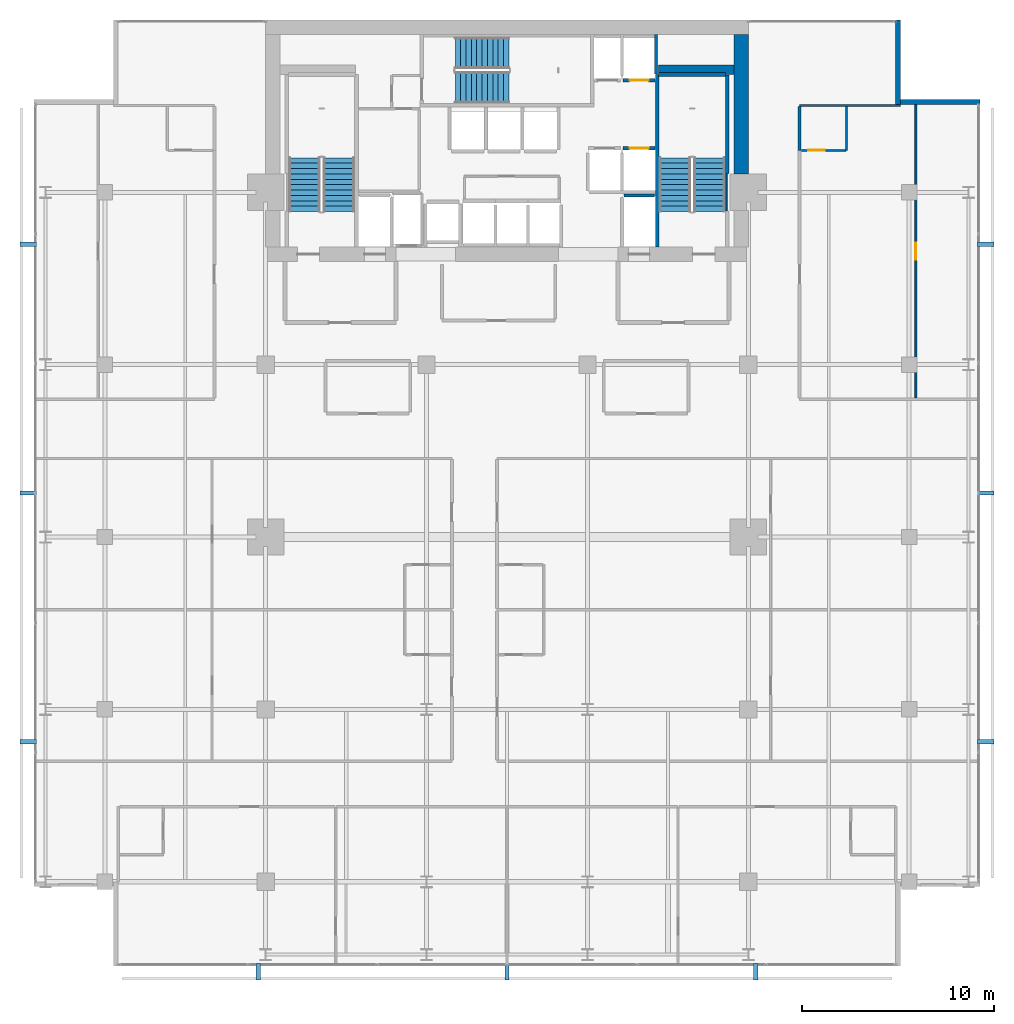
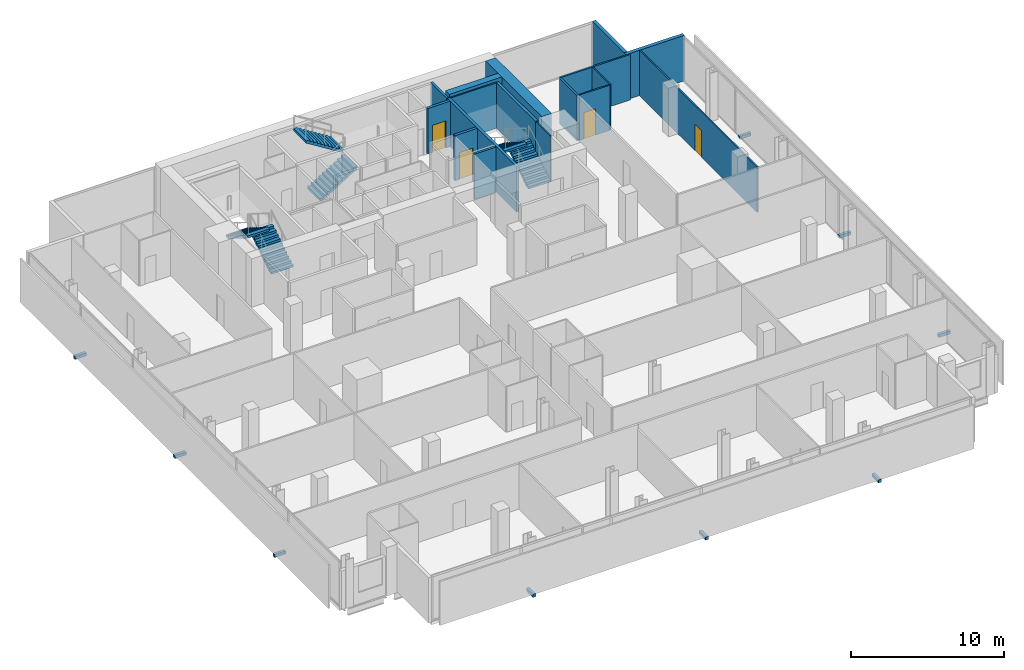
# One storey, part 30 of 32: 17 walls, 9 discrete accessories, 6 stair flights, 4 doors, 4 openings, 3 elements without a shape of their own.
"""IFC4 building model written with IfcOpenShell, lengths in metres."""

from ifc_helpers import new_model, si_unit, direction, frame, frame_2d, origin, origin_2d, place, context, subcontext, project, spatial, polyline, rectangle, outline, extrude, material, layer, layer_set, type_object, element, fill, aggregate, save


model = new_model("IFC4")

# Units and contexts
model_context = context("Model", 3, precision=1e-05, world=origin(), true_north=direction((0.0, 1.0)))
body_context = subcontext(model_context, "Body", "Model", "MODEL_VIEW")
ifc_project = project(units=[si_unit("LENGTHUNIT", "METRE"), si_unit("AREAUNIT", "SQUARE_METRE"), si_unit("VOLUMEUNIT", "CUBIC_METRE"), si_unit("PLANEANGLEUNIT", "RADIAN"), si_unit("MASSUNIT", "GRAM", prefix="KILO")], contexts=[model_context])

# Site, building, storey
site_placement = place(None, origin())
site = spatial("IfcSite", under=ifc_project, at=site_placement, CompositionType="ELEMENT")
building_placement = place(site_placement, origin())
building = spatial("IfcBuilding", under=site, at=building_placement, Name="Maruvema Waterfront Hotel and Observation Tower", CompositionType="ELEMENT")
storey_placement = place(building_placement, frame((0.0, 0.0, 219.800048828125)))
storey = spatial("IfcBuildingStorey", under=building, at=storey_placement, Name="L54", CompositionType="ELEMENT", Elevation=219.800048828125)

# Walls
ifc_material_1 = material(Name="Twin-stud acoustic gypsum drywall", Category="gypsum")
ifc_layer_1 = layer(ifc_material_1, 0.14990234375, Name="Acoustic Corridor and Suite Demising Wall 150 mm")
ifc_layer_set_1 = layer_set([ifc_layer_1], Name="Twin-stud acoustic gypsum drywall")
wall_type_1 = type_object("IfcWallType", Name="Acoustic Corridor and Suite Demising Wall 150 mm", PredefinedType="PARTITIONING", material=ifc_layer_set_1)
wall_1_placement = place(storey_placement, frame((53.080078125, 47.1875, 0.0), z_axis=(0.0, 0.0, 1.0), x_axis=(0.0, 1.0, 0.0)))
element("IfcWall", 1, at=wall_1_placement, inside=storey, type_object=wall_type_1, Name="L54 Bath L54-NE1 Wall 080", PredefinedType="PARTITIONING", context=body_context, shape_type="SweptSolid", body=[
    extrude(rectangle(XDim=2.2900390625, YDim=0.14990234375, at=frame_2d((1.14501953125, 0.0))), origin(), (0.0, 0.0, 1.0), 3.60986328125),
])
ifc_material_2 = material(Name="Precast concrete C45/55", Category="concrete")
ifc_layer_2 = layer(ifc_material_2, 0.199951171875, Name="Core Shaft and Stairwell Enclosure Wall 200 mm")
ifc_layer_set_2 = layer_set([ifc_layer_2], Name="Precast concrete C45/55")
wall_type_2 = type_object("IfcWallType", Name="Core Shaft and Stairwell Enclosure Wall 200 mm", PredefinedType="SOLIDWALL", material=ifc_layer_set_2)
wall_2_placement = place(storey_placement, frame((45.64990234375, 42.14990234375, 0.0), z_axis=(0.0, 0.0, 1.0), x_axis=(0.0, 1.0, 0.0)))
element("IfcWall", 2, at=wall_2_placement, inside=storey, type_object=wall_type_2, Name="L54 Stairwell ST-03 West Shaft Wall", PredefinedType="SOLIDWALL", context=body_context, shape_type="SweptSolid", body=[
    extrude(rectangle(XDim=9.0, YDim=0.199951171875, at=frame_2d((4.5, 0.0))), origin(), (0.0, 0.0, 1.0), 3.60986328125),
])
wall_3_placement = place(storey_placement, frame((49.300048828125, 45.97998046875, 0.0), z_axis=(0.0, 0.0, 1.0), x_axis=(0.0, 1.0, 0.0)))
element("IfcWall", 3, at=wall_3_placement, inside=storey, type_object=wall_type_2, Name="L54 Stairwell ST-03 Shaft Lining Wall", PredefinedType="SOLIDWALL", context=body_context, shape_type="SweptSolid", body=[
    extrude(rectangle(XDim=5.14013671875, YDim=0.199951171875, at=frame_2d((2.570068359375, 0.0))), origin(), (0.0, 0.0, 1.0), 3.60986328125),
])
wall_4_placement = place(storey_placement, frame((45.719970703125, 51.14990234375, 0.0), z_axis=(0.0, 0.0, 1.0), x_axis=(1.0, 0.0, 0.0)))
element("IfcWall", 4, at=wall_4_placement, inside=storey, type_object=wall_type_2, Name="L54 Stairwell ST-03 Shaft Lining Wall", PredefinedType="SOLIDWALL", context=body_context, shape_type="SweptSolid", body=[
    extrude(rectangle(XDim=3.5, YDim=0.199951171875, at=frame_2d((1.75, 0.0))), origin(), (0.0, 0.0, 1.0), 3.60986328125),
])

# Wall, opening, door
wall_5_placement = place(storey_placement, frame((43.860107421875, 47.300048828125, 0.0), z_axis=(0.0, 0.0, 1.0), x_axis=(1.0, 0.0, 0.0)))
wall_5 = element("IfcWall", 5, at=wall_5_placement, inside=storey, type_object=wall_type_2, Name="L54 Lift LF-06 Hoistway Front Wall", PredefinedType="SOLIDWALL", context=body_context, shape_type="SweptSolid", body=[
    extrude(rectangle(XDim=1.679931640625, YDim=0.199951171875, at=frame_2d((0.83984375, 0.0))), origin(), (0.0, 0.0, 1.0), 3.60986328125),
])
opening_1_placement = place(wall_5_placement, frame((0.340087890625, 0.0, 0.0)))
opening_1 = element("IfcOpeningElement", 6, at=opening_1_placement, cuts=wall_5, Name="Opening LD-01", PredefinedType="OPENING", context=body_context, shape_type="SweptSolid", body=[
    extrude(rectangle(XDim=1.0, YDim=2.14990234375, at=frame_2d((0.5, 1.074951171875))), frame((0.0, 0.10986328125, 0.0), z_axis=(0.0, -1.0, 0.0), x_axis=(1.0, 0.0, 0.0)), (0.0, 0.0, 1.0), 0.219970703125),
])
ifc_material_3 = material(Name="Brushed stainless steel Grade 316", Category="steel")
door_type_1 = type_object("IfcDoorType", Name="Passenger Lift Sliding Landing Door 1000x2150 mm", OperationType="SLIDING_TO_LEFT", PredefinedType="DOOR", material=ifc_material_3)
door_1_placement = place(opening_1_placement, origin())
door_1 = element("IfcDoor", 7, at=door_1_placement, inside=storey, type_object=door_type_1, Name="L54 Lift LF-06 Sliding Landing Door", OperationType="SLIDING_TO_LEFT", OverallHeight=2.14990234375, OverallWidth=1.0, PredefinedType="DOOR", context=body_context, shape_type="SweptSolid", body=[
    extrude(rectangle(XDim=1.0, YDim=2.14990234375, at=frame_2d((0.5, 1.074951171875))), frame((0.0, 0.02490234375, 0.0), z_axis=(0.0, -1.0, 0.0), x_axis=(1.0, 0.0, 0.0)), (0.0, 0.0, 1.0), 0.050048828125),
])
fill(opening_1, door_1)

wall_6_placement = place(storey_placement, frame((43.860107421875, 50.85009765625, 0.0), z_axis=(0.0, 0.0, 1.0), x_axis=(1.0, 0.0, 0.0)))
wall_6 = element("IfcWall", 8, at=wall_6_placement, inside=storey, type_object=wall_type_2, Name="L54 Lift LF-08 Hoistway Front Wall", PredefinedType="SOLIDWALL", context=body_context, shape_type="SweptSolid", body=[
    extrude(rectangle(XDim=1.679931640625, YDim=0.199951171875, at=frame_2d((0.83984375, 0.0))), origin(), (0.0, 0.0, 1.0), 3.60986328125),
])
opening_2_placement = place(wall_6_placement, frame((0.340087890625, 0.0, 0.0)))
opening_2 = element("IfcOpeningElement", 9, at=opening_2_placement, cuts=wall_6, Name="Opening LD-01", PredefinedType="OPENING", context=body_context, shape_type="SweptSolid", body=[
    extrude(rectangle(XDim=1.0, YDim=2.14990234375, at=frame_2d((0.5, 1.074951171875))), frame((0.0, 0.10986328125, 0.0), z_axis=(0.0, -1.0, 0.0), x_axis=(1.0, 0.0, 0.0)), (0.0, 0.0, 1.0), 0.219970703125),
])
door_2_placement = place(opening_2_placement, frame((1.0, 0.0, 0.0), z_axis=(0.0, 0.0, 1.0), x_axis=(-1.0, 0.0, 0.0)))
door_2 = element("IfcDoor", 10, at=door_2_placement, inside=storey, type_object=door_type_1, Name="L54 Lift LF-08 Sliding Landing Door", OperationType="SLIDING_TO_LEFT", OverallHeight=2.14990234375, OverallWidth=1.0, PredefinedType="DOOR", context=body_context, shape_type="SweptSolid", body=[
    extrude(rectangle(XDim=1.0, YDim=2.14990234375, at=frame_2d((0.5, 1.074951171875))), frame((0.0, 0.02490234375, 0.0), z_axis=(0.0, -1.0, 0.0), x_axis=(1.0, 0.0, 0.0)), (0.0, 0.0, 1.0), 0.050048828125),
])
fill(opening_2, door_2)

# Walls
ifc_material_4 = material(Name="Concrete C70/85", Category="concrete")
ifc_layer_3 = layer(ifc_material_4, 0.5, Name="Core Shear Wall 500 mm")
ifc_layer_set_3 = layer_set([ifc_layer_3], Name="Concrete C70/85")
wall_type_3 = type_object("IfcWallType", Name="Core Shear Wall 500 mm", PredefinedType="SHEAR", material=ifc_layer_set_3)
wall_7_placement = place(storey_placement, frame((45.699951171875, 51.39990234375, 0.0), z_axis=(0.0, 0.0, 1.0), x_axis=(1.0, 0.0, 0.0)))
element("IfcWall", 11, at=wall_7_placement, inside=storey, type_object=wall_type_3, Name="L54 Internal Core Shear Wall NE 500 mm", PredefinedType="SHEAR", context=body_context, shape_type="SweptSolid", body=[
    extrude(rectangle(XDim=3.949951171875, YDim=0.5, at=frame_2d((1.97509765625, 0.0))), origin(), (0.0, 0.0, 1.0), 3.849853515625),
])
ifc_material_5 = material(Name="Concrete C70/85", Category="concrete")
ifc_layer_4 = layer(ifc_material_5, 0.75, Name="Core Shear Wall 750 mm")
ifc_layer_set_4 = layer_set([ifc_layer_4], Name="Concrete C70/85")
wall_type_4 = type_object("IfcWallType", Name="Core Shear Wall 750 mm", PredefinedType="SHEAR", material=ifc_layer_set_4)
wall_8_placement = place(storey_placement, frame((50.02490234375, 45.949951171875, 0.0), z_axis=(0.0, 0.0, 1.0), x_axis=(0.0, 1.0, 0.0)))
element("IfcWall", 12, at=wall_8_placement, inside=storey, type_object=wall_type_4, Name="L54 East-North Core Shear Wall", PredefinedType="SHEAR", context=body_context, shape_type="SweptSolid", body=[
    extrude(rectangle(XDim=7.300048828125, YDim=0.75, at=frame_2d((3.64990234375, 0.0))), origin(), (0.0, 0.0, 1.0), 3.849853515625),
])
ifc_material_6 = material(Name="Moisture-resistant cement-board drywall", Category="gypsum")
ifc_layer_5 = layer(ifc_material_6, 0.10009765625, Name="En-Suite Moisture-Resistant Partition 100 mm")
ifc_layer_set_5 = layer_set([ifc_layer_5], Name="Moisture-resistant cement-board drywall")
wall_type_5 = type_object("IfcWallType", Name="En-Suite Moisture-Resistant Partition 100 mm", PredefinedType="PARTITIONING", material=ifc_layer_set_5)
wall_9_placement = place(storey_placement, frame((55.530029296875, 47.1875, 0.0), z_axis=(0.0, 0.0, 1.0), x_axis=(0.0, 1.0, 0.0)))
element("IfcWall", 13, at=wall_9_placement, inside=storey, type_object=wall_type_5, Name="L54 En-Suite L54-NE1 E 081", PredefinedType="PARTITIONING", context=body_context, shape_type="SweptSolid", body=[
    extrude(rectangle(XDim=2.2900390625, YDim=0.10009765625, at=frame_2d((1.14501953125, 0.0))), origin(), (0.0, 0.0, 1.0), 3.60986328125),
])

# Wall, opening, door
wall_10_placement = place(storey_placement, frame((53.179931640625, 47.1875, 0.0), z_axis=(0.0, 0.0, 1.0), x_axis=(1.0, 0.0, 0.0)))
wall_10 = element("IfcWall", 14, at=wall_10_placement, inside=storey, type_object=wall_type_5, Name="L54 En-Suite L54-NE1 S 082", PredefinedType="PARTITIONING", context=body_context, shape_type="SweptSolid", body=[
    extrude(rectangle(XDim=2.300048828125, YDim=0.10009765625, at=frame_2d((1.14990234375, 0.0))), origin(), (0.0, 0.0, 1.0), 3.60986328125),
])
opening_3_placement = place(wall_10_placement, frame((0.35009765625, 0.0, 0.0)))
opening_3 = element("IfcOpeningElement", 15, at=opening_3_placement, cuts=wall_10, Name="Opening DR-085", PredefinedType="OPENING", context=body_context, shape_type="SweptSolid", body=[
    extrude(rectangle(XDim=0.85009765625, YDim=2.10009765625, at=frame_2d((0.425048828125, 1.050048828125))), frame((0.0, 0.06005859375, 0.0), z_axis=(0.0, -1.0, 0.0), x_axis=(1.0, 0.0, 0.0)), (0.0, 0.0, 1.0), 0.1201171875),
])
ifc_material_7 = material(Name="Moisture-resistant solid timber leaf", Category="wood")
door_type_2 = type_object("IfcDoorType", Name="En-Suite Bathroom Door 850x2100 mm", OperationType="NOTDEFINED", PredefinedType="DOOR", material=ifc_material_7)
door_3_placement = place(opening_3_placement, frame((0.85009765625, 0.0, 0.0), z_axis=(0.0, 0.0, 1.0), x_axis=(-1.0, 0.0, 0.0)))
door_3 = element("IfcDoor", 16, at=door_3_placement, inside=storey, type_object=door_type_2, Name="L54 En-Suite L54-NE1 Door", OperationType="SINGLE_SWING_LEFT", OverallHeight=2.10009765625, OverallWidth=0.85009765625, PredefinedType="DOOR", context=body_context, shape_type="SweptSolid", body=[
    extrude(rectangle(XDim=0.85009765625, YDim=2.10009765625, at=frame_2d((0.425048828125, 1.050048828125))), frame((0.0, 0.02490234375, 0.0), z_axis=(0.0, -1.0, 0.0), x_axis=(1.0, 0.0, 0.0)), (0.0, 0.0, 1.0), 0.050048828125),
])
fill(opening_3, door_3)

wall_11_placement = place(storey_placement, frame((59.154296875, 34.260009765625, 0.0), z_axis=(0.0, 0.0, 1.0), x_axis=(0.0, 1.0, 0.0)))
wall_11 = element("IfcWall", 17, at=wall_11_placement, inside=storey, type_object=wall_type_5, Name="L54 Suite L54-NE1 Split 083", PredefinedType="PARTITIONING", context=body_context, shape_type="SweptSolid", body=[
    extrude(rectangle(XDim=15.33740234375, YDim=0.10009765625, at=frame_2d((7.668701171875, 0.0))), origin(), (0.0, 0.0, 1.0), 3.60986328125),
])
opening_4_placement = place(wall_11_placement, frame((7.21875, 0.0, 0.0)))
opening_4 = element("IfcOpeningElement", 18, at=opening_4_placement, cuts=wall_11, Name="Opening DR-090", PredefinedType="OPENING", context=body_context, shape_type="SweptSolid", body=[
    extrude(rectangle(XDim=0.89990234375, YDim=2.10009765625, at=frame_2d((0.449951171875, 1.050048828125))), frame((0.0, 0.06005859375, 0.0), z_axis=(0.0, -1.0, 0.0), x_axis=(1.0, 0.0, 0.0)), (0.0, 0.0, 1.0), 0.1201171875),
])
ifc_material_8 = material(Name="Solid-core lacquered timber leaf", Category="wood")
door_type_3 = type_object("IfcDoorType", Name="Accessible Toilet and Room Door 900x2100 mm", OperationType="NOTDEFINED", PredefinedType="DOOR", material=ifc_material_8)
door_4_placement = place(opening_4_placement, frame((0.89990234375, 0.0, 0.0), z_axis=(0.0, 0.0, 1.0), x_axis=(-1.0, 0.0, 0.0)))
door_4 = element("IfcDoor", 19, at=door_4_placement, inside=storey, type_object=door_type_3, Name="L54 Suite L54-NE1 Bedroom Door", OperationType="SINGLE_SWING_LEFT", OverallHeight=2.10009765625, OverallWidth=0.89990234375, PredefinedType="DOOR", context=body_context, shape_type="SweptSolid", body=[
    extrude(rectangle(XDim=0.89990234375, YDim=2.10009765625, at=frame_2d((0.449951171875, 1.050048828125))), frame((0.0, 0.02490234375, 0.0), z_axis=(0.0, -1.0, 0.0), x_axis=(1.0, 0.0, 0.0)), (0.0, 0.0, 1.0), 0.050048828125),
])
fill(opening_4, door_4)

# Walls
ifc_material_9 = material(Name="Precast concrete C45/55 with honed Pernambuco granite facing", Category="masonry")
ifc_layer_6 = layer(ifc_material_9, 0.260009765625, Name="Exterior Granite Clad Spandrel and Pier Wall 260 mm")
ifc_layer_set_6 = layer_set([ifc_layer_6], Name="Precast concrete C45/55 with honed Pernambuco granite facing")
wall_type_6 = type_object("IfcWallType", Name="Exterior Granite Clad Spandrel and Pier Wall 260 mm", PredefinedType="SOLIDWALL", material=ifc_layer_set_6)
for number, where, z_axis, x_axis, name in (
    (20, (58.22998046875, 54.0, 0.0), (0.0, 0.0, 1.0), (0.0, -1.0, 0.0), "L54 Corner Notch Granite Pier Wall NE1"),
    (21, (58.10009765625, 49.72998046875, 0.0), (0.0, 0.0, 1.0), (1.0, 0.0, 0.0), "L54 Corner Notch Granite Pier Wall NE2"),
):
    element("IfcWall", number, at=place(storey_placement, frame(where, z_axis=z_axis, x_axis=x_axis)), inside=storey, type_object=wall_type_6, Name=name, PredefinedType="SOLIDWALL", context=body_context, shape_type="SweptSolid", body=[
        extrude(rectangle(XDim=4.39990234375, YDim=0.260009765625, at=frame_2d((2.199951171875, 0.0))), origin(), (0.0, 0.0, 1.0), 3.60986328125),
    ])
ifc_material_10 = material(Name="Acoustic gypsum plasterboard drywall", Category="gypsum")
ifc_layer_7 = layer(ifc_material_10, 0.125, Name="Guestroom Acoustic Demising Wall 125 mm")
ifc_layer_set_7 = layer_set([ifc_layer_7], Name="Acoustic gypsum plasterboard drywall")
wall_type_7 = type_object("IfcWallType", Name="Guestroom Acoustic Demising Wall 125 mm", PredefinedType="PARTITIONING", material=ifc_layer_set_7)
wall_12_placement = place(storey_placement, frame((53.080078125, 49.53759765625, 0.0), z_axis=(0.0, 0.0, 1.0), x_axis=(1.0, 0.0, 0.0)))
element("IfcWall", 22, at=wall_12_placement, inside=storey, type_object=wall_type_7, Name="L54 Z2 NE Top End 073", PredefinedType="PARTITIONING", context=body_context, shape_type="SweptSolid", body=[
    extrude(rectangle(XDim=5.280029296875, YDim=0.125, at=frame_2d((2.64013671875, 0.0))), origin(), (0.0, 0.0, 1.0), 3.60986328125),
])
ifc_material_11 = material(Name="Precast concrete C45/55", Category="concrete")
ifc_layer_8 = layer(ifc_material_11, 0.159912109375, Name="Lift Hoistway Divider Wall 160 mm")
ifc_layer_set_8 = layer_set([ifc_layer_8], Name="Precast concrete C45/55")
wall_type_8 = type_object("IfcWallType", Name="Lift Hoistway Divider Wall 160 mm", PredefinedType="SOLIDWALL", material=ifc_layer_set_8)
wall_13_placement = place(storey_placement, frame((43.89990234375, 44.830078125, 0.0), z_axis=(0.0, 0.0, 1.0), x_axis=(1.0, 0.0, 0.0)))
element("IfcWall", 23, at=wall_13_placement, inside=storey, type_object=wall_type_8, Name="L54 Lift FL-02 Rear Hoistway Wall", PredefinedType="SOLIDWALL", context=body_context, shape_type="SweptSolid", body=[
    extrude(rectangle(XDim=1.60009765625, YDim=0.159912109375, at=frame_2d((0.800048828125, 0.0))), origin(), (0.0, 0.0, 1.0), 3.60986328125),
])
wall_14_placement = place(storey_placement, frame((45.590087890625, 51.179931640625, 0.0), z_axis=(0.0, 0.0, 1.0), x_axis=(0.0, 1.0, 0.0)))
element("IfcWall", 24, at=wall_14_placement, inside=storey, type_object=wall_type_8, Name="L54 Hoistway Divider Wall", PredefinedType="SOLIDWALL", context=body_context, shape_type="SweptSolid", body=[
    extrude(rectangle(XDim=2.070068359375, YDim=0.159912109375, at=frame_2d((1.03515625, 0.0))), origin(), (0.0, 0.0, 1.0), 3.60986328125),
])
ifc_material_12 = material(Name="Precast concrete C45/55", Category="concrete")
ifc_layer_9 = layer(ifc_material_12, 0.10009765625, Name="Stairwell Stringer Cheek Wall 100 mm")
ifc_layer_set_9 = layer_set([ifc_layer_9], Name="Precast concrete C45/55")
wall_type_9 = type_object("IfcWallType", Name="Stairwell Stringer Cheek Wall 100 mm", PredefinedType="SOLIDWALL", material=ifc_layer_set_9)
wall_15_placement = place(storey_placement, frame((49.248046875, 44.0400390625, 0.0), z_axis=(0.0, 0.0, 1.0), x_axis=(0.0, 1.0, 0.0)))
element("IfcWall", 25, at=wall_15_placement, inside=storey, type_object=wall_type_9, Name="L54 Stairwell ST-03 Mega-Column Cheek Wall", PredefinedType="SOLIDWALL", context=body_context, shape_type="SweptSolid", body=[
    extrude(rectangle(XDim=1.919921875, YDim=0.10009765625, at=frame_2d((0.9599609375, 0.0))), origin(), (0.0, 0.0, 1.0), 3.60986328125),
])

# Stair, stair flights
ifc_material_13 = material(Name="Concrete C50/60", Category="concrete")
stair_type = type_object("IfcStairType", Name="Dogleg Exit Stair 1650 mm (22R x 175.0 mm)", PredefinedType="HALF_TURN_STAIR", material=ifc_material_13)
stair_1_placement = place(storey_placement, origin())
stair_1 = element("IfcStair", 26, at=stair_1_placement, inside=storey, type_object=stair_type, Name="L54 ST-01", PredefinedType="HALF_TURN_STAIR")
ifc_material_14 = material(Name="Concrete C50/60", Category="concrete")
stair_flight_type = type_object("IfcStairFlightType", Name="Reinforced Concrete Stair Flight 1650 mm (11R x 175.0 mm)", PredefinedType="STRAIGHT", material=ifc_material_14)
stair_flight_1_placement = place(storey_placement, frame((29.02490234375, 44.0, 0.0), z_axis=(0.0, 0.0, 1.0), x_axis=(0.0, 1.0, 0.0)))
stair_flight_1 = element("IfcStairFlight", 27, at=stair_flight_1_placement, type_object=stair_flight_type, Name="ST-01 flight 1", NumberOfRisers=11, NumberOfTreads=10, PredefinedType="STRAIGHT", RiserHeight=0.175, TreadLength=0.28, context=body_context, shape_type="SweptSolid", body=[
    extrude(outline(polyline([(0.0, 0.0), (0.0, 0.175048828125), (0.280029296875, 0.175048828125), (0.280029296875, 0.35009765625), (0.56005859375, 0.35009765625), (0.56005859375, 0.52490234375), (0.840087890625, 0.52490234375), (0.840087890625, 0.699951171875), (1.1201171875, 0.699951171875), (1.1201171875, 0.875), (1.39990234375, 0.875), (1.39990234375, 1.050048828125), (1.679931640625, 1.050048828125), (1.679931640625, 1.22509765625), (1.9599609375, 1.22509765625), (1.9599609375, 1.39990234375), (2.239990234375, 1.39990234375), (2.239990234375, 1.574951171875), (2.52001953125, 1.574951171875), (2.52001953125, 1.75), (2.800048828125, 1.75), (2.800048828125, 1.925048828125), (2.800048828125, 1.5732421875), (0.28271484375, 0.0), (0.0, 0.0)])), frame((0.0, 0.824951171875, 0.0), z_axis=(0.0, -1.0, 0.0), x_axis=(1.0, 0.0, 0.0)), (0.0, 0.0, 1.0), 1.64990234375),
])
stair_flight_2_placement = place(storey_placement, frame((27.22509765625, 46.800048828125, 1.925048828125), z_axis=(0.0, 0.0, 1.0), x_axis=(0.0, -1.0, 0.0)))
stair_flight_2 = element("IfcStairFlight", 28, at=stair_flight_2_placement, type_object=stair_flight_type, Name="ST-01 flight 2", NumberOfRisers=11, NumberOfTreads=10, PredefinedType="STRAIGHT", RiserHeight=0.175, TreadLength=0.28, context=body_context, shape_type="SweptSolid", body=[
    extrude(outline(polyline([(0.0, 0.0), (0.0, 0.175048828125), (0.280029296875, 0.175048828125), (0.280029296875, 0.35009765625), (0.56005859375, 0.35009765625), (0.56005859375, 0.52490234375), (0.840087890625, 0.52490234375), (0.840087890625, 0.699951171875), (1.1201171875, 0.699951171875), (1.1201171875, 0.875), (1.39990234375, 0.875), (1.39990234375, 1.050048828125), (1.679931640625, 1.050048828125), (1.679931640625, 1.22509765625), (1.9599609375, 1.22509765625), (1.9599609375, 1.39990234375), (2.239990234375, 1.39990234375), (2.239990234375, 1.574951171875), (2.52001953125, 1.574951171875), (2.52001953125, 1.75), (2.800048828125, 1.75), (2.800048828125, 1.925048828125), (2.800048828125, 1.5732421875), (0.28271484375, 0.0), (0.0, 0.0)])), frame((0.0, 0.824951171875, 0.0), z_axis=(0.0, -1.0, 0.0), x_axis=(1.0, 0.0, 0.0)), (0.0, 0.0, 1.0), 1.64990234375),
])
aggregate(stair_1, [stair_flight_1, stair_flight_2])

stair_2_placement = place(storey_placement, origin())
stair_2 = element("IfcStair", 29, at=stair_2_placement, inside=storey, type_object=stair_type, Name="L54 ST-02", PredefinedType="HALF_TURN_STAIR")
stair_flight_3_placement = place(storey_placement, frame((35.10009765625, 50.47509765625, 0.0), z_axis=(0.0, 0.0, 1.0), x_axis=(1.0, 0.0, 0.0)))
stair_flight_3 = element("IfcStairFlight", 30, at=stair_flight_3_placement, type_object=stair_flight_type, Name="ST-02 flight 1", NumberOfRisers=11, NumberOfTreads=10, PredefinedType="STRAIGHT", RiserHeight=0.175, TreadLength=0.28, context=body_context, shape_type="SweptSolid", body=[
    extrude(outline(polyline([(0.0, 0.0), (0.0, 0.175048828125), (0.280029296875, 0.175048828125), (0.280029296875, 0.35009765625), (0.56005859375, 0.35009765625), (0.56005859375, 0.52490234375), (0.840087890625, 0.52490234375), (0.840087890625, 0.699951171875), (1.1201171875, 0.699951171875), (1.1201171875, 0.875), (1.39990234375, 0.875), (1.39990234375, 1.050048828125), (1.679931640625, 1.050048828125), (1.679931640625, 1.22509765625), (1.9599609375, 1.22509765625), (1.9599609375, 1.39990234375), (2.239990234375, 1.39990234375), (2.239990234375, 1.574951171875), (2.52001953125, 1.574951171875), (2.52001953125, 1.75), (2.800048828125, 1.75), (2.800048828125, 1.925048828125), (2.800048828125, 1.5732421875), (0.28271484375, 0.0), (0.0, 0.0)])), frame((0.0, 0.824951171875, 0.0), z_axis=(0.0, -1.0, 0.0), x_axis=(1.0, 0.0, 0.0)), (0.0, 0.0, 1.0), 1.64990234375),
])
stair_flight_4_placement = place(storey_placement, frame((37.89990234375, 52.27490234375, 1.925048828125), z_axis=(0.0, 0.0, 1.0), x_axis=(-1.0, 0.0, 0.0)))
stair_flight_4 = element("IfcStairFlight", 31, at=stair_flight_4_placement, type_object=stair_flight_type, Name="ST-02 flight 2", NumberOfRisers=11, NumberOfTreads=10, PredefinedType="STRAIGHT", RiserHeight=0.175, TreadLength=0.28, context=body_context, shape_type="SweptSolid", body=[
    extrude(outline(polyline([(0.0, 0.0), (0.0, 0.175048828125), (0.280029296875, 0.175048828125), (0.280029296875, 0.35009765625), (0.56005859375, 0.35009765625), (0.56005859375, 0.52490234375), (0.840087890625, 0.52490234375), (0.840087890625, 0.699951171875), (1.1201171875, 0.699951171875), (1.1201171875, 0.875), (1.39990234375, 0.875), (1.39990234375, 1.050048828125), (1.679931640625, 1.050048828125), (1.679931640625, 1.22509765625), (1.9599609375, 1.22509765625), (1.9599609375, 1.39990234375), (2.239990234375, 1.39990234375), (2.239990234375, 1.574951171875), (2.52001953125, 1.574951171875), (2.52001953125, 1.75), (2.800048828125, 1.75), (2.800048828125, 1.925048828125), (2.800048828125, 1.5732421875), (0.28271484375, 0.0), (0.0, 0.0)])), frame((0.0, 0.824951171875, 0.0), z_axis=(0.0, -1.0, 0.0), x_axis=(1.0, 0.0, 0.0)), (0.0, 0.0, 1.0), 1.64990234375),
])
aggregate(stair_2, [stair_flight_3, stair_flight_4])

stair_3_placement = place(storey_placement, origin())
stair_3 = element("IfcStair", 32, at=stair_3_placement, inside=storey, type_object=stair_type, Name="L54 ST-03", PredefinedType="HALF_TURN_STAIR")
stair_flight_5_placement = place(storey_placement, frame((48.375, 44.0, 0.0), z_axis=(0.0, 0.0, 1.0), x_axis=(0.0, 1.0, 0.0)))
stair_flight_5 = element("IfcStairFlight", 33, at=stair_flight_5_placement, type_object=stair_flight_type, Name="ST-03 flight 1", NumberOfRisers=11, NumberOfTreads=10, PredefinedType="STRAIGHT", RiserHeight=0.175, TreadLength=0.28, context=body_context, shape_type="SweptSolid", body=[
    extrude(outline(polyline([(0.0, 0.0), (0.0, 0.175048828125), (0.280029296875, 0.175048828125), (0.280029296875, 0.35009765625), (0.56005859375, 0.35009765625), (0.56005859375, 0.52490234375), (0.840087890625, 0.52490234375), (0.840087890625, 0.699951171875), (1.1201171875, 0.699951171875), (1.1201171875, 0.875), (1.39990234375, 0.875), (1.39990234375, 1.050048828125), (1.679931640625, 1.050048828125), (1.679931640625, 1.22509765625), (1.9599609375, 1.22509765625), (1.9599609375, 1.39990234375), (2.239990234375, 1.39990234375), (2.239990234375, 1.574951171875), (2.52001953125, 1.574951171875), (2.52001953125, 1.75), (2.800048828125, 1.75), (2.800048828125, 1.925048828125), (2.800048828125, 1.5732421875), (0.28271484375, 0.0), (0.0, 0.0)])), frame((0.0, 0.824951171875, 0.0), z_axis=(0.0, -1.0, 0.0), x_axis=(1.0, 0.0, 0.0)), (0.0, 0.0, 1.0), 1.64990234375),
])
stair_flight_6_placement = place(storey_placement, frame((46.574951171875, 46.800048828125, 1.925048828125), z_axis=(0.0, 0.0, 1.0), x_axis=(0.0, -1.0, 0.0)))
stair_flight_6 = element("IfcStairFlight", 34, at=stair_flight_6_placement, type_object=stair_flight_type, Name="ST-03 flight 2", NumberOfRisers=11, NumberOfTreads=10, PredefinedType="STRAIGHT", RiserHeight=0.175, TreadLength=0.28, context=body_context, shape_type="SweptSolid", body=[
    extrude(outline(polyline([(0.0, 0.0), (0.0, 0.175048828125), (0.280029296875, 0.175048828125), (0.280029296875, 0.35009765625), (0.56005859375, 0.35009765625), (0.56005859375, 0.52490234375), (0.840087890625, 0.52490234375), (0.840087890625, 0.699951171875), (1.1201171875, 0.699951171875), (1.1201171875, 0.875), (1.39990234375, 0.875), (1.39990234375, 1.050048828125), (1.679931640625, 1.050048828125), (1.679931640625, 1.22509765625), (1.9599609375, 1.22509765625), (1.9599609375, 1.39990234375), (2.239990234375, 1.39990234375), (2.239990234375, 1.574951171875), (2.52001953125, 1.574951171875), (2.52001953125, 1.75), (2.800048828125, 1.75), (2.800048828125, 1.925048828125), (2.800048828125, 1.5732421875), (0.28271484375, 0.0), (0.0, 0.0)])), frame((0.0, 0.824951171875, 0.0), z_axis=(0.0, -1.0, 0.0), x_axis=(1.0, 0.0, 0.0)), (0.0, 0.0, 1.0), 1.64990234375),
])
aggregate(stair_3, [stair_flight_5, stair_flight_6])

# Discrete accessories
ifc_material_15 = material(Name="Duplex stainless steel Grade 2205", Category="steel")
discrete_accessory_type = type_object("IfcDiscreteAccessoryType", Name="Double-Skin Cavity Stainless Outrigger Bracket", PredefinedType="BRACKET", material=ifc_material_15)
for number, where, z_axis, x_axis, name in (
    (35, (24.80810546875, 4.300048828125, -0.14013671875), (0.0, 0.0, 1.0), (1.0, 0.0, 0.0), "L54 Outer Skin Support Bracket 1"),
    (36, (37.800048828125, 4.300048828125, -0.14013671875), (0.0, 0.0, 1.0), (1.0, 0.0, 0.0), "L54 Outer Skin Support Bracket 2"),
    (37, (50.7919921875, 4.300048828125, -0.14013671875), (0.0, 0.0, 1.0), (1.0, 0.0, 0.0), "L54 Outer Skin Support Bracket 3"),
    (38, (62.800048828125, 16.30810546875, -0.14013671875), (0.0, 0.0, 1.0), (0.0, 1.0, 0.0), "L54 Outer Skin Support Bracket 1"),
    (39, (62.800048828125, 29.300048828125, -0.14013671875), (0.0, 0.0, 1.0), (0.0, 1.0, 0.0), "L54 Outer Skin Support Bracket 2"),
    (40, (62.800048828125, 42.2919921875, -0.14013671875), (0.0, 0.0, 1.0), (0.0, 1.0, 0.0), "L54 Outer Skin Support Bracket 3"),
    (41, (12.800048828125, 42.2919921875, -0.14013671875), (0.0, 0.0, 1.0), (0.0, -1.0, 0.0), "L54 Outer Skin Support Bracket 1"),
    (42, (12.800048828125, 29.300048828125, -0.14013671875), (0.0, 0.0, 1.0), (0.0, -1.0, 0.0), "L54 Outer Skin Support Bracket 2"),
    (43, (12.800048828125, 16.30810546875, -0.14013671875), (0.0, 0.0, 1.0), (0.0, -1.0, 0.0), "L54 Outer Skin Support Bracket 3"),
):
    element("IfcDiscreteAccessory", number, at=place(storey_placement, frame(where, z_axis=z_axis, x_axis=x_axis)), inside=storey, type_object=discrete_accessory_type, Name=name, PredefinedType="BRACKET", context=body_context, shape_type="SweptSolid", body=[
        extrude(rectangle(XDim=0.219970703125, YDim=0.860107421875, at=origin_2d()), origin(), (0.0, 0.0, 1.0), 0.239990234375),
    ])

save(model, "model.ifc")
